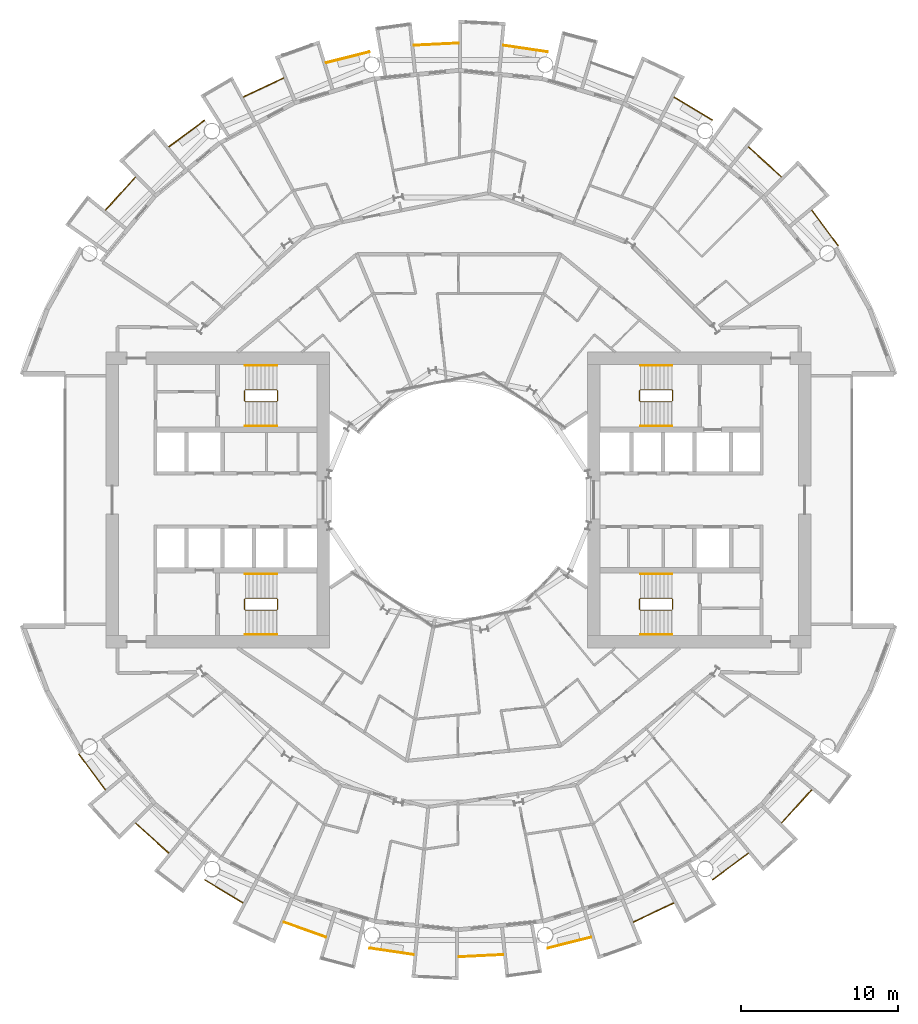
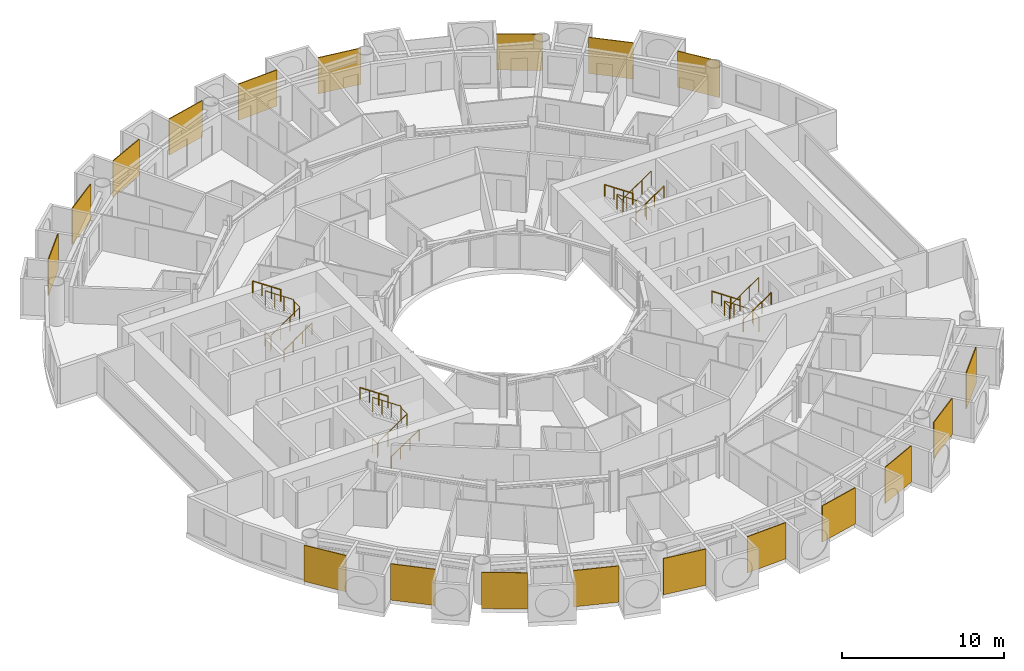
# One storey, part 25 of 26: 31 railings.
"""IFC4 building model written with IfcOpenShell, lengths in metres."""

from ifc_helpers import new_model, si_unit, direction, frame, origin, origin_2d, place, context, subcontext, project, spatial, polyline, circle, outline, extrude, material, layer, layer_set, type_object, element, save


model = new_model("IFC4")

# Units and contexts
model_context = context("Model", 3, precision=1e-05, world=origin(), true_north=direction((0.0, 1.0)))
body_context = subcontext(model_context, "Body", "Model", "MODEL_VIEW")
ifc_project = project(units=[si_unit("LENGTHUNIT", "METRE"), si_unit("AREAUNIT", "SQUARE_METRE"), si_unit("VOLUMEUNIT", "CUBIC_METRE"), si_unit("PLANEANGLEUNIT", "RADIAN"), si_unit("MASSUNIT", "GRAM", prefix="KILO")], contexts=[model_context])

# Site, building, storey
site_placement = place(None, origin())
site = spatial("IfcSite", under=ifc_project, at=site_placement, CompositionType="ELEMENT")
building_placement = place(site_placement, origin())
building = spatial("IfcBuilding", under=site, at=building_placement, Name="Maasbend Ring Residences", CompositionType="ELEMENT")
storey_placement = place(building_placement, frame((0.0, 0.0, 38.050048828125)))
storey = spatial("IfcBuildingStorey", under=building, at=storey_placement, Name="L10", CompositionType="ELEMENT", Elevation=38.050048828125)

# Railings
ifc_material_1 = material(Name="Pale anodised perforated aluminium", Category="aluminium")
ifc_layer = layer(ifc_material_1, 0.06005859375)
ifc_layer_set = layer_set([ifc_layer], Name="SCREEN-P")
railing_type_1 = type_object("IfcRailingType", Name="SCREEN-P", PredefinedType="GUARDRAIL", material=ifc_layer_set)
railing_1_placement = place(storey_placement, frame((0.0, 0.0, -0.030029296875)))
element("IfcRailing", 1, at=railing_1_placement, inside=storey, type_object=railing_type_1, Name="Perforated screen guard 1", PredefinedType="GUARDRAIL", context=body_context, shape_type="SweptSolid", body=[
    extrude(outline(polyline([(24.113037109375, 16.112060546875), (22.4169921875, 18.39697265625), (22.465087890625, 18.43310546875), (24.160888671875, 16.14697265625), (24.113037109375, 16.112060546875)])), origin(), (0.0, 0.0, 1.0), 2.72998046875),
])
railing_2_placement = place(storey_placement, frame((0.0, 0.0, -0.030029296875)))
element("IfcRailing", 2, at=railing_2_placement, inside=storey, type_object=railing_type_1, Name="Perforated screen guard 2", PredefinedType="GUARDRAIL", context=body_context, shape_type="SweptSolid", body=[
    extrude(outline(polyline([(20.506103515625, 20.506103515625), (18.39697265625, 22.4169921875), (18.43798828125, 22.4619140625), (20.5458984375, 20.551025390625), (20.506103515625, 20.506103515625)])), origin(), (0.0, 0.0, 1.0), 2.72998046875),
])
railing_3_placement = place(storey_placement, frame((0.0, 0.0, -0.030029296875)))
element("IfcRailing", 3, at=railing_3_placement, inside=storey, type_object=railing_type_1, Name="Perforated screen guard 3", PredefinedType="GUARDRAIL", context=body_context, shape_type="SweptSolid", body=[
    extrude(outline(polyline([(16.112060546875, 24.113037109375), (13.6708984375, 25.575927734375), (13.700927734375, 25.626953125), (16.14208984375, 24.1640625), (16.112060546875, 24.113037109375)])), origin(), (0.0, 0.0, 1.0), 2.72998046875),
])
railing_4_placement = place(storey_placement, frame((0.0, 0.0, -0.030029296875)))
element("IfcRailing", 4, at=railing_4_placement, inside=storey, type_object=railing_type_1, Name="Perforated screen guard 5", PredefinedType="GUARDRAIL", context=body_context, shape_type="SweptSolid", body=[
    extrude(outline(polyline([(5.657958984375, 28.443115234375), (2.842041015625, 28.860107421875), (2.85107421875, 28.919921875), (5.666015625, 28.501953125), (5.657958984375, 28.443115234375)])), origin(), (0.0, 0.0, 1.0), 2.72998046875),
])
railing_5_placement = place(storey_placement, frame((0.0, 0.0, -0.030029296875)))
element("IfcRailing", 5, at=railing_5_placement, inside=storey, type_object=railing_type_1, Name="Perforated screen guard 6", PredefinedType="GUARDRAIL", context=body_context, shape_type="SweptSolid", body=[
    extrude(outline(polyline([(0.0, 29.0), (-2.842041015625, 28.860107421875), (-2.844970703125, 28.919921875), (-0.0029296875, 29.06005859375), (0.0, 29.0)])), origin(), (0.0, 0.0, 1.0), 2.72998046875),
])
railing_6_placement = place(storey_placement, frame((0.0, 0.0, -0.030029296875)))
element("IfcRailing", 6, at=railing_6_placement, inside=storey, type_object=railing_type_1, Name="Perforated screen guard 7", PredefinedType="GUARDRAIL", context=body_context, shape_type="SweptSolid", body=[
    extrude(outline(polyline([(-5.657958984375, 28.443115234375), (-8.41796875, 27.7509765625), (-8.43310546875, 27.80908203125), (-5.672119140625, 28.5009765625), (-5.657958984375, 28.443115234375)])), origin(), (0.0, 0.0, 1.0), 2.72998046875),
])
railing_7_placement = place(storey_placement, frame((0.0, 0.0, -0.030029296875)))
element("IfcRailing", 7, at=railing_7_placement, inside=storey, type_object=railing_type_1, Name="Perforated screen guard 8", PredefinedType="GUARDRAIL", context=body_context, shape_type="SweptSolid", body=[
    extrude(outline(polyline([(-11.097900390625, 26.79296875), (-13.6708984375, 25.575927734375), (-13.696044921875, 25.6298828125), (-11.123046875, 26.846923828125), (-11.097900390625, 26.79296875)])), origin(), (0.0, 0.0, 1.0), 2.72998046875),
])
railing_8_placement = place(storey_placement, frame((0.0, 0.0, -0.030029296875)))
element("IfcRailing", 8, at=railing_8_placement, inside=storey, type_object=railing_type_1, Name="Perforated screen guard 9", PredefinedType="GUARDRAIL", context=body_context, shape_type="SweptSolid", body=[
    extrude(outline(polyline([(-16.112060546875, 24.113037109375), (-18.39697265625, 22.4169921875), (-18.43310546875, 22.465087890625), (-16.14697265625, 24.160888671875), (-16.112060546875, 24.113037109375)])), origin(), (0.0, 0.0, 1.0), 2.72998046875),
])
railing_9_placement = place(storey_placement, frame((0.0, 0.0, -0.030029296875)))
element("IfcRailing", 9, at=railing_9_placement, inside=storey, type_object=railing_type_1, Name="Perforated screen guard 10", PredefinedType="GUARDRAIL", context=body_context, shape_type="SweptSolid", body=[
    extrude(outline(polyline([(-20.506103515625, 20.506103515625), (-22.4169921875, 18.39697265625), (-22.4619140625, 18.43798828125), (-20.551025390625, 20.5458984375), (-20.506103515625, 20.506103515625)])), origin(), (0.0, 0.0, 1.0), 2.72998046875),
])
railing_10_placement = place(storey_placement, frame((0.0, 0.0, -0.030029296875)))
element("IfcRailing", 10, at=railing_10_placement, inside=storey, type_object=railing_type_1, Name="Perforated screen guard 1", PredefinedType="GUARDRAIL", context=body_context, shape_type="SweptSolid", body=[
    extrude(outline(polyline([(-24.113037109375, -16.112060546875), (-22.4169921875, -18.39697265625), (-22.465087890625, -18.43310546875), (-24.160888671875, -16.14697265625), (-24.113037109375, -16.112060546875)])), origin(), (0.0, 0.0, 1.0), 2.72998046875),
])
railing_11_placement = place(storey_placement, frame((0.0, 0.0, -0.030029296875)))
element("IfcRailing", 11, at=railing_11_placement, inside=storey, type_object=railing_type_1, Name="Perforated screen guard 2", PredefinedType="GUARDRAIL", context=body_context, shape_type="SweptSolid", body=[
    extrude(outline(polyline([(-20.506103515625, -20.506103515625), (-18.39697265625, -22.4169921875), (-18.43798828125, -22.4619140625), (-20.5458984375, -20.551025390625), (-20.506103515625, -20.506103515625)])), origin(), (0.0, 0.0, 1.0), 2.72998046875),
])
railing_12_placement = place(storey_placement, frame((0.0, 0.0, -0.030029296875)))
element("IfcRailing", 12, at=railing_12_placement, inside=storey, type_object=railing_type_1, Name="Perforated screen guard 3", PredefinedType="GUARDRAIL", context=body_context, shape_type="SweptSolid", body=[
    extrude(outline(polyline([(-16.112060546875, -24.113037109375), (-13.6708984375, -25.575927734375), (-13.700927734375, -25.626953125), (-16.14208984375, -24.1640625), (-16.112060546875, -24.113037109375)])), origin(), (0.0, 0.0, 1.0), 2.72998046875),
])
railing_13_placement = place(storey_placement, frame((0.0, 0.0, -0.030029296875)))
element("IfcRailing", 13, at=railing_13_placement, inside=storey, type_object=railing_type_1, Name="Perforated screen guard 4", PredefinedType="GUARDRAIL", context=body_context, shape_type="SweptSolid", body=[
    extrude(outline(polyline([(-11.097900390625, -26.79296875), (-8.41796875, -27.7509765625), (-8.43798828125, -27.80810546875), (-11.117919921875, -26.84912109375), (-11.097900390625, -26.79296875)])), origin(), (0.0, 0.0, 1.0), 2.72998046875),
])
railing_14_placement = place(storey_placement, frame((0.0, 0.0, -0.030029296875)))
element("IfcRailing", 14, at=railing_14_placement, inside=storey, type_object=railing_type_1, Name="Perforated screen guard 5", PredefinedType="GUARDRAIL", context=body_context, shape_type="SweptSolid", body=[
    extrude(outline(polyline([(-5.657958984375, -28.443115234375), (-2.842041015625, -28.860107421875), (-2.85107421875, -28.919921875), (-5.666015625, -28.501953125), (-5.657958984375, -28.443115234375)])), origin(), (0.0, 0.0, 1.0), 2.72998046875),
])
railing_15_placement = place(storey_placement, frame((0.0, 0.0, -0.030029296875)))
element("IfcRailing", 15, at=railing_15_placement, inside=storey, type_object=railing_type_1, Name="Perforated screen guard 6", PredefinedType="GUARDRAIL", context=body_context, shape_type="SweptSolid", body=[
    extrude(outline(polyline([(0.0, -29.0), (2.842041015625, -28.860107421875), (2.844970703125, -28.919921875), (0.0029296875, -29.06005859375), (0.0, -29.0)])), origin(), (0.0, 0.0, 1.0), 2.72998046875),
])
railing_16_placement = place(storey_placement, frame((0.0, 0.0, -0.030029296875)))
element("IfcRailing", 16, at=railing_16_placement, inside=storey, type_object=railing_type_1, Name="Perforated screen guard 7", PredefinedType="GUARDRAIL", context=body_context, shape_type="SweptSolid", body=[
    extrude(outline(polyline([(5.657958984375, -28.443115234375), (8.41796875, -27.7509765625), (8.43310546875, -27.80908203125), (5.672119140625, -28.5009765625), (5.657958984375, -28.443115234375)])), origin(), (0.0, 0.0, 1.0), 2.72998046875),
])
railing_17_placement = place(storey_placement, frame((0.0, 0.0, -0.030029296875)))
element("IfcRailing", 17, at=railing_17_placement, inside=storey, type_object=railing_type_1, Name="Perforated screen guard 8", PredefinedType="GUARDRAIL", context=body_context, shape_type="SweptSolid", body=[
    extrude(outline(polyline([(11.097900390625, -26.79296875), (13.6708984375, -25.575927734375), (13.696044921875, -25.6298828125), (11.123046875, -26.846923828125), (11.097900390625, -26.79296875)])), origin(), (0.0, 0.0, 1.0), 2.72998046875),
])
railing_18_placement = place(storey_placement, frame((0.0, 0.0, -0.030029296875)))
element("IfcRailing", 18, at=railing_18_placement, inside=storey, type_object=railing_type_1, Name="Perforated screen guard 9", PredefinedType="GUARDRAIL", context=body_context, shape_type="SweptSolid", body=[
    extrude(outline(polyline([(16.112060546875, -24.113037109375), (18.39697265625, -22.4169921875), (18.43310546875, -22.465087890625), (16.14697265625, -24.160888671875), (16.112060546875, -24.113037109375)])), origin(), (0.0, 0.0, 1.0), 2.72998046875),
])
railing_19_placement = place(storey_placement, frame((0.0, 0.0, -0.030029296875)))
element("IfcRailing", 19, at=railing_19_placement, inside=storey, type_object=railing_type_1, Name="Perforated screen guard 10", PredefinedType="GUARDRAIL", context=body_context, shape_type="SweptSolid", body=[
    extrude(outline(polyline([(20.506103515625, -20.506103515625), (22.4169921875, -18.39697265625), (22.4619140625, -18.43798828125), (20.551025390625, -20.5458984375), (20.506103515625, -20.506103515625)])), origin(), (0.0, 0.0, 1.0), 2.72998046875),
])
ifc_material_2 = material(Name="Stainless steel 316", Category="steel")
railing_type_2 = type_object("IfcRailingType", Name="STAIR GUARD 1100", PredefinedType="GUARDRAIL", material=ifc_material_2)
railing_20_placement = place(storey_placement, frame((13.60009765625, 6.300048828125, 0.0)))
element("IfcRailing", 20, at=railing_20_placement, inside=storey, type_object=railing_type_2, Name="L10 ST-E1 stair guard 1", PredefinedType="GUARDRAIL", context=body_context, shape_type="SweptSolid", body=[
    extrude(circle(Radius=0.02392578125, at=origin_2d()), frame((0.0, 0.0, 1.076171875), z_axis=(0.0, 1.0, 0.0), x_axis=(-1.0, 0.0, 0.0)), (0.0, 0.0, 1.0), 0.64990234375),
    extrude(circle(Radius=0.02392578125, at=origin_2d()), frame((0.0, 0.64990234375, 1.076171875), z_axis=(-0.272562526181, 0.272562526181, 0.92272386912), x_axis=(-0.707106781187, -0.707106781187, 0.0)), (0.0, 0.0, 1.0), 0.18359375),
    extrude(circle(Radius=0.02392578125, at=origin_2d()), frame((-0.050048828125, 0.699951171875, 1.24560546875), z_axis=(-0.827797584762, 0.0, 0.561026878735), x_axis=(0.0, -1.0, 0.0)), (0.0, 0.0, 1.0), 2.416015625),
    extrude(circle(Radius=0.02392578125, at=origin_2d()), frame((-2.050048828125, 0.699951171875, 2.60107421875), z_axis=(-0.707106781187, -0.707106781187, 0.0), x_axis=(0.707106781187, -0.707106781187, 0.0)), (0.0, 0.0, 1.0), 0.07080078125),
    extrude(circle(Radius=0.02392578125, at=origin_2d()), frame((-2.10009765625, 0.64990234375, 2.60107421875), z_axis=(0.0, -1.0, 0.0), x_axis=(1.0, 0.0, 0.0)), (0.0, 0.0, 1.0), 0.64990234375),
    extrude(circle(Radius=0.02392578125, at=origin_2d()), frame((-2.10009765625, 0.0, 2.60107421875), z_axis=(0.272562526181, -0.272562526181, 0.92272386912), x_axis=(0.707106781187, 0.707106781187, 0.0)), (0.0, 0.0, 1.0), 0.18359375),
    extrude(circle(Radius=0.02392578125, at=origin_2d()), frame((-2.050048828125, -0.050048828125, 2.7705078125), z_axis=(0.827750655447, 0.0, 0.561096116906), x_axis=(0.0, 1.0, 0.0)), (0.0, 0.0, 1.0), 2.416259765625),
    extrude(circle(Radius=0.02099609375, at=origin_2d()), origin(), (0.0, 0.0, 1.0), 1.052001953125),
    extrude(circle(Radius=0.02099609375, at=origin_2d()), frame((0.0, 0.64990234375, 0.0)), (0.0, 0.0, 1.0), 1.052001953125),
    extrude(circle(Radius=0.02099609375, at=origin_2d()), frame((-0.050048828125, 0.699951171875, 0.16943359375)), (0.0, 0.0, 1.0), 1.052001953125),
    extrude(circle(Radius=0.02099609375, at=origin_2d()), frame((-0.716796875, 0.699951171875, 0.621337890625)), (0.0, 0.0, 1.0), 1.052001953125),
    extrude(circle(Radius=0.02099609375, at=origin_2d()), frame((-1.38330078125, 0.699951171875, 1.072998046875)), (0.0, 0.0, 1.0), 1.052001953125),
    extrude(circle(Radius=0.02099609375, at=origin_2d()), frame((-2.050048828125, 0.699951171875, 1.52490234375)), (0.0, 0.0, 1.0), 1.052001953125),
    extrude(circle(Radius=0.02099609375, at=origin_2d()), frame((-2.10009765625, 0.64990234375, 1.52490234375)), (0.0, 0.0, 1.0), 1.052001953125),
    extrude(circle(Radius=0.02099609375, at=origin_2d()), frame((-2.10009765625, 0.0, 1.52490234375)), (0.0, 0.0, 1.0), 1.052001953125),
    extrude(circle(Radius=0.02099609375, at=origin_2d()), frame((-2.050048828125, -0.050048828125, 1.6943359375)), (0.0, 0.0, 1.0), 1.052001953125),
    extrude(circle(Radius=0.02099609375, at=origin_2d()), frame((-1.38330078125, -0.050048828125, 2.146240234375)), (0.0, 0.0, 1.0), 1.052001953125),
    extrude(circle(Radius=0.02099609375, at=origin_2d()), frame((-0.716796875, -0.050048828125, 2.59814453125)), (0.0, 0.0, 1.0), 1.052001953125),
    extrude(circle(Radius=0.02099609375, at=origin_2d()), frame((-0.050048828125, -0.050048828125, 3.050048828125)), (0.0, 0.0, 1.0), 1.052001953125),
])
railing_21_placement = place(storey_placement, frame((13.60009765625, -6.949951171875, 0.0)))
element("IfcRailing", 21, at=railing_21_placement, inside=storey, type_object=railing_type_2, Name="L10 ST-E2 stair guard 1", PredefinedType="GUARDRAIL", context=body_context, shape_type="SweptSolid", body=[
    extrude(circle(Radius=0.02392578125, at=origin_2d()), frame((0.0, 0.0, 1.076171875), z_axis=(0.0, 1.0, 0.0), x_axis=(-1.0, 0.0, 0.0)), (0.0, 0.0, 1.0), 0.64990234375),
    extrude(circle(Radius=0.02392578125, at=origin_2d()), frame((0.0, 0.64990234375, 1.076171875), z_axis=(-0.272562526181, 0.272562526181, 0.92272386912), x_axis=(-0.707106781187, -0.707106781187, 0.0)), (0.0, 0.0, 1.0), 0.18359375),
    extrude(circle(Radius=0.02392578125, at=origin_2d()), frame((-0.050048828125, 0.699951171875, 1.24560546875), z_axis=(-0.827797584762, 0.0, 0.561026878735), x_axis=(0.0, -1.0, 0.0)), (0.0, 0.0, 1.0), 2.416015625),
    extrude(circle(Radius=0.02392578125, at=origin_2d()), frame((-2.050048828125, 0.699951171875, 2.60107421875), z_axis=(-0.707106781187, -0.707106781187, 0.0), x_axis=(0.707106781187, -0.707106781187, 0.0)), (0.0, 0.0, 1.0), 0.07080078125),
    extrude(circle(Radius=0.02392578125, at=origin_2d()), frame((-2.10009765625, 0.64990234375, 2.60107421875), z_axis=(0.0, -1.0, 0.0), x_axis=(1.0, 0.0, 0.0)), (0.0, 0.0, 1.0), 0.64990234375),
    extrude(circle(Radius=0.02392578125, at=origin_2d()), frame((-2.10009765625, 0.0, 2.60107421875), z_axis=(0.272562526181, -0.272562526181, 0.92272386912), x_axis=(0.707106781187, 0.707106781187, 0.0)), (0.0, 0.0, 1.0), 0.18359375),
    extrude(circle(Radius=0.02392578125, at=origin_2d()), frame((-2.050048828125, -0.050048828125, 2.7705078125), z_axis=(0.827750655447, 0.0, 0.561096116906), x_axis=(0.0, 1.0, 0.0)), (0.0, 0.0, 1.0), 2.416259765625),
    extrude(circle(Radius=0.02099609375, at=origin_2d()), origin(), (0.0, 0.0, 1.0), 1.052001953125),
    extrude(circle(Radius=0.02099609375, at=origin_2d()), frame((0.0, 0.64990234375, 0.0)), (0.0, 0.0, 1.0), 1.052001953125),
    extrude(circle(Radius=0.02099609375, at=origin_2d()), frame((-0.050048828125, 0.699951171875, 0.16943359375)), (0.0, 0.0, 1.0), 1.052001953125),
    extrude(circle(Radius=0.02099609375, at=origin_2d()), frame((-0.716796875, 0.699951171875, 0.621337890625)), (0.0, 0.0, 1.0), 1.052001953125),
    extrude(circle(Radius=0.02099609375, at=origin_2d()), frame((-1.38330078125, 0.699951171875, 1.072998046875)), (0.0, 0.0, 1.0), 1.052001953125),
    extrude(circle(Radius=0.02099609375, at=origin_2d()), frame((-2.050048828125, 0.699951171875, 1.52490234375)), (0.0, 0.0, 1.0), 1.052001953125),
    extrude(circle(Radius=0.02099609375, at=origin_2d()), frame((-2.10009765625, 0.64990234375, 1.52490234375)), (0.0, 0.0, 1.0), 1.052001953125),
    extrude(circle(Radius=0.02099609375, at=origin_2d()), frame((-2.10009765625, 0.0, 1.52490234375)), (0.0, 0.0, 1.0), 1.052001953125),
    extrude(circle(Radius=0.02099609375, at=origin_2d()), frame((-2.050048828125, -0.050048828125, 1.6943359375)), (0.0, 0.0, 1.0), 1.052001953125),
    extrude(circle(Radius=0.02099609375, at=origin_2d()), frame((-1.38330078125, -0.050048828125, 2.146240234375)), (0.0, 0.0, 1.0), 1.052001953125),
    extrude(circle(Radius=0.02099609375, at=origin_2d()), frame((-0.716796875, -0.050048828125, 2.59814453125)), (0.0, 0.0, 1.0), 1.052001953125),
    extrude(circle(Radius=0.02099609375, at=origin_2d()), frame((-0.050048828125, -0.050048828125, 3.050048828125)), (0.0, 0.0, 1.0), 1.052001953125),
])
railing_22_placement = place(storey_placement, frame((-13.60009765625, -6.300048828125, 0.0)))
element("IfcRailing", 22, at=railing_22_placement, inside=storey, type_object=railing_type_2, Name="L10 ST-W1 stair guard 1", PredefinedType="GUARDRAIL", context=body_context, shape_type="SweptSolid", body=[
    extrude(circle(Radius=0.02392578125, at=origin_2d()), frame((0.0, 0.0, 1.076171875), z_axis=(0.0, -1.0, 0.0), x_axis=(1.0, 0.0, 0.0)), (0.0, 0.0, 1.0), 0.64990234375),
    extrude(circle(Radius=0.02392578125, at=origin_2d()), frame((0.0, -0.64990234375, 1.076171875), z_axis=(0.272562526181, -0.272562526181, 0.92272386912), x_axis=(0.707106781187, 0.707106781187, 0.0)), (0.0, 0.0, 1.0), 0.18359375),
    extrude(circle(Radius=0.02392578125, at=origin_2d()), frame((0.050048828125, -0.699951171875, 1.24560546875), z_axis=(0.827797584762, 0.0, 0.561026878735), x_axis=(0.0, 1.0, 0.0)), (0.0, 0.0, 1.0), 2.416015625),
    extrude(circle(Radius=0.02392578125, at=origin_2d()), frame((2.050048828125, -0.699951171875, 2.60107421875), z_axis=(0.707106781187, 0.707106781187, 0.0), x_axis=(-0.707106781187, 0.707106781187, 0.0)), (0.0, 0.0, 1.0), 0.07080078125),
    extrude(circle(Radius=0.02392578125, at=origin_2d()), frame((2.10009765625, -0.64990234375, 2.60107421875), z_axis=(0.0, 1.0, 0.0), x_axis=(-1.0, 0.0, 0.0)), (0.0, 0.0, 1.0), 0.64990234375),
    extrude(circle(Radius=0.02392578125, at=origin_2d()), frame((2.10009765625, 0.0, 2.60107421875), z_axis=(-0.272562526181, 0.272562526181, 0.92272386912), x_axis=(-0.707106781187, -0.707106781187, 0.0)), (0.0, 0.0, 1.0), 0.18359375),
    extrude(circle(Radius=0.02392578125, at=origin_2d()), frame((2.050048828125, 0.050048828125, 2.7705078125), z_axis=(-0.827750655447, 0.0, 0.561096116906), x_axis=(0.0, -1.0, 0.0)), (0.0, 0.0, 1.0), 2.416259765625),
    extrude(circle(Radius=0.02099609375, at=origin_2d()), origin(), (0.0, 0.0, 1.0), 1.052001953125),
    extrude(circle(Radius=0.02099609375, at=origin_2d()), frame((0.0, -0.64990234375, 0.0)), (0.0, 0.0, 1.0), 1.052001953125),
    extrude(circle(Radius=0.02099609375, at=origin_2d()), frame((0.050048828125, -0.699951171875, 0.16943359375)), (0.0, 0.0, 1.0), 1.052001953125),
    extrude(circle(Radius=0.02099609375, at=origin_2d()), frame((0.716796875, -0.699951171875, 0.621337890625)), (0.0, 0.0, 1.0), 1.052001953125),
    extrude(circle(Radius=0.02099609375, at=origin_2d()), frame((1.38330078125, -0.699951171875, 1.072998046875)), (0.0, 0.0, 1.0), 1.052001953125),
    extrude(circle(Radius=0.02099609375, at=origin_2d()), frame((2.050048828125, -0.699951171875, 1.52490234375)), (0.0, 0.0, 1.0), 1.052001953125),
    extrude(circle(Radius=0.02099609375, at=origin_2d()), frame((2.10009765625, -0.64990234375, 1.52490234375)), (0.0, 0.0, 1.0), 1.052001953125),
    extrude(circle(Radius=0.02099609375, at=origin_2d()), frame((2.10009765625, 0.0, 1.52490234375)), (0.0, 0.0, 1.0), 1.052001953125),
    extrude(circle(Radius=0.02099609375, at=origin_2d()), frame((2.050048828125, 0.050048828125, 1.6943359375)), (0.0, 0.0, 1.0), 1.052001953125),
    extrude(circle(Radius=0.02099609375, at=origin_2d()), frame((1.38330078125, 0.050048828125, 2.146240234375)), (0.0, 0.0, 1.0), 1.052001953125),
    extrude(circle(Radius=0.02099609375, at=origin_2d()), frame((0.716796875, 0.050048828125, 2.59814453125)), (0.0, 0.0, 1.0), 1.052001953125),
    extrude(circle(Radius=0.02099609375, at=origin_2d()), frame((0.050048828125, 0.050048828125, 3.050048828125)), (0.0, 0.0, 1.0), 1.052001953125),
])
railing_23_placement = place(storey_placement, frame((-13.60009765625, 6.949951171875, 0.0)))
element("IfcRailing", 23, at=railing_23_placement, inside=storey, type_object=railing_type_2, Name="L10 ST-W2 stair guard 1", PredefinedType="GUARDRAIL", context=body_context, shape_type="SweptSolid", body=[
    extrude(circle(Radius=0.02392578125, at=origin_2d()), frame((0.0, 0.0, 1.076171875), z_axis=(0.0, -1.0, 0.0), x_axis=(1.0, 0.0, 0.0)), (0.0, 0.0, 1.0), 0.64990234375),
    extrude(circle(Radius=0.02392578125, at=origin_2d()), frame((0.0, -0.64990234375, 1.076171875), z_axis=(0.272562526181, -0.272562526181, 0.92272386912), x_axis=(0.707106781187, 0.707106781187, 0.0)), (0.0, 0.0, 1.0), 0.18359375),
    extrude(circle(Radius=0.02392578125, at=origin_2d()), frame((0.050048828125, -0.699951171875, 1.24560546875), z_axis=(0.827797584762, 0.0, 0.561026878735), x_axis=(0.0, 1.0, 0.0)), (0.0, 0.0, 1.0), 2.416015625),
    extrude(circle(Radius=0.02392578125, at=origin_2d()), frame((2.050048828125, -0.699951171875, 2.60107421875), z_axis=(0.707106781187, 0.707106781187, 0.0), x_axis=(-0.707106781187, 0.707106781187, 0.0)), (0.0, 0.0, 1.0), 0.07080078125),
    extrude(circle(Radius=0.02392578125, at=origin_2d()), frame((2.10009765625, -0.64990234375, 2.60107421875), z_axis=(0.0, 1.0, 0.0), x_axis=(-1.0, 0.0, 0.0)), (0.0, 0.0, 1.0), 0.64990234375),
    extrude(circle(Radius=0.02392578125, at=origin_2d()), frame((2.10009765625, 0.0, 2.60107421875), z_axis=(-0.272562526181, 0.272562526181, 0.92272386912), x_axis=(-0.707106781187, -0.707106781187, 0.0)), (0.0, 0.0, 1.0), 0.18359375),
    extrude(circle(Radius=0.02392578125, at=origin_2d()), frame((2.050048828125, 0.050048828125, 2.7705078125), z_axis=(-0.827750655447, 0.0, 0.561096116906), x_axis=(0.0, -1.0, 0.0)), (0.0, 0.0, 1.0), 2.416259765625),
    extrude(circle(Radius=0.02099609375, at=origin_2d()), origin(), (0.0, 0.0, 1.0), 1.052001953125),
    extrude(circle(Radius=0.02099609375, at=origin_2d()), frame((0.0, -0.64990234375, 0.0)), (0.0, 0.0, 1.0), 1.052001953125),
    extrude(circle(Radius=0.02099609375, at=origin_2d()), frame((0.050048828125, -0.699951171875, 0.16943359375)), (0.0, 0.0, 1.0), 1.052001953125),
    extrude(circle(Radius=0.02099609375, at=origin_2d()), frame((0.716796875, -0.699951171875, 0.621337890625)), (0.0, 0.0, 1.0), 1.052001953125),
    extrude(circle(Radius=0.02099609375, at=origin_2d()), frame((1.38330078125, -0.699951171875, 1.072998046875)), (0.0, 0.0, 1.0), 1.052001953125),
    extrude(circle(Radius=0.02099609375, at=origin_2d()), frame((2.050048828125, -0.699951171875, 1.52490234375)), (0.0, 0.0, 1.0), 1.052001953125),
    extrude(circle(Radius=0.02099609375, at=origin_2d()), frame((2.10009765625, -0.64990234375, 1.52490234375)), (0.0, 0.0, 1.0), 1.052001953125),
    extrude(circle(Radius=0.02099609375, at=origin_2d()), frame((2.10009765625, 0.0, 1.52490234375)), (0.0, 0.0, 1.0), 1.052001953125),
    extrude(circle(Radius=0.02099609375, at=origin_2d()), frame((2.050048828125, 0.050048828125, 1.6943359375)), (0.0, 0.0, 1.0), 1.052001953125),
    extrude(circle(Radius=0.02099609375, at=origin_2d()), frame((1.38330078125, 0.050048828125, 2.146240234375)), (0.0, 0.0, 1.0), 1.052001953125),
    extrude(circle(Radius=0.02099609375, at=origin_2d()), frame((0.716796875, 0.050048828125, 2.59814453125)), (0.0, 0.0, 1.0), 1.052001953125),
    extrude(circle(Radius=0.02099609375, at=origin_2d()), frame((0.050048828125, 0.050048828125, 3.050048828125)), (0.0, 0.0, 1.0), 1.052001953125),
])
ifc_material_3 = material(Name="Stainless steel 316", Category="steel")
railing_type_3 = type_object("IfcRailingType", Name="STAIR HANDRAIL 900", PredefinedType="HANDRAIL", material=ifc_material_3)
railing_24_placement = place(storey_placement, frame((13.550048828125, 8.550048828125, 0.16943359375)))
element("IfcRailing", 24, at=railing_24_placement, inside=storey, type_object=railing_type_3, Name="L10 ST-E1 stair handrail 1", PredefinedType="HANDRAIL", context=body_context, shape_type="SweptSolid", body=[
    extrude(circle(Radius=0.02392578125, at=origin_2d()), frame((0.0, 0.0, 0.8759765625), z_axis=(-0.827797584762, 0.0, 0.561026878735), x_axis=(0.0, -1.0, 0.0)), (0.0, 0.0, 1.0), 2.416015625),
    extrude(circle(Radius=0.02099609375, at=origin_2d()), origin(), (0.0, 0.0, 1.0), 0.851806640625),
    extrude(circle(Radius=0.02099609375, at=origin_2d()), frame((-0.666748046875, 0.0, 0.451904296875)), (0.0, 0.0, 1.0), 0.851806640625),
    extrude(circle(Radius=0.02099609375, at=origin_2d()), frame((-1.333251953125, 0.0, 0.903564453125)), (0.0, 0.0, 1.0), 0.851806640625),
    extrude(circle(Radius=0.02099609375, at=origin_2d()), frame((-2.0, 0.0, 1.35546875)), (0.0, 0.0, 1.0), 0.851806640625),
])
railing_25_placement = place(storey_placement, frame((11.550048828125, 4.699951171875, 1.6943359375)))
element("IfcRailing", 25, at=railing_25_placement, inside=storey, type_object=railing_type_3, Name="L10 ST-E1 stair handrail 2", PredefinedType="HANDRAIL", context=body_context, shape_type="SweptSolid", body=[
    extrude(circle(Radius=0.02392578125, at=origin_2d()), frame((0.0, 0.0, 0.8759765625), z_axis=(0.827750655447, 0.0, 0.561096116906), x_axis=(0.0, 1.0, 0.0)), (0.0, 0.0, 1.0), 2.416259765625),
    extrude(circle(Radius=0.02099609375, at=origin_2d()), origin(), (0.0, 0.0, 1.0), 0.851806640625),
    extrude(circle(Radius=0.02099609375, at=origin_2d()), frame((0.666748046875, 0.0, 0.451904296875)), (0.0, 0.0, 1.0), 0.851806640625),
    extrude(circle(Radius=0.02099609375, at=origin_2d()), frame((1.333251953125, 0.0, 0.90380859375)), (0.0, 0.0, 1.0), 0.851806640625),
    extrude(circle(Radius=0.02099609375, at=origin_2d()), frame((2.0, 0.0, 1.355712890625)), (0.0, 0.0, 1.0), 0.851806640625),
])
railing_26_placement = place(storey_placement, frame((13.550048828125, -4.699951171875, 0.16943359375)))
element("IfcRailing", 26, at=railing_26_placement, inside=storey, type_object=railing_type_3, Name="L10 ST-E2 stair handrail 1", PredefinedType="HANDRAIL", context=body_context, shape_type="SweptSolid", body=[
    extrude(circle(Radius=0.02392578125, at=origin_2d()), frame((0.0, 0.0, 0.8759765625), z_axis=(-0.827797584762, 0.0, 0.561026878735), x_axis=(0.0, -1.0, 0.0)), (0.0, 0.0, 1.0), 2.416015625),
    extrude(circle(Radius=0.02099609375, at=origin_2d()), origin(), (0.0, 0.0, 1.0), 0.851806640625),
    extrude(circle(Radius=0.02099609375, at=origin_2d()), frame((-0.666748046875, 0.0, 0.451904296875)), (0.0, 0.0, 1.0), 0.851806640625),
    extrude(circle(Radius=0.02099609375, at=origin_2d()), frame((-1.333251953125, 0.0, 0.903564453125)), (0.0, 0.0, 1.0), 0.851806640625),
    extrude(circle(Radius=0.02099609375, at=origin_2d()), frame((-2.0, 0.0, 1.35546875)), (0.0, 0.0, 1.0), 0.851806640625),
])
railing_27_placement = place(storey_placement, frame((11.550048828125, -8.550048828125, 1.6943359375)))
element("IfcRailing", 27, at=railing_27_placement, inside=storey, type_object=railing_type_3, Name="L10 ST-E2 stair handrail 2", PredefinedType="HANDRAIL", context=body_context, shape_type="SweptSolid", body=[
    extrude(circle(Radius=0.02392578125, at=origin_2d()), frame((0.0, 0.0, 0.8759765625), z_axis=(0.827750655447, 0.0, 0.561096116906), x_axis=(0.0, 1.0, 0.0)), (0.0, 0.0, 1.0), 2.416259765625),
    extrude(circle(Radius=0.02099609375, at=origin_2d()), origin(), (0.0, 0.0, 1.0), 0.851806640625),
    extrude(circle(Radius=0.02099609375, at=origin_2d()), frame((0.666748046875, 0.0, 0.451904296875)), (0.0, 0.0, 1.0), 0.851806640625),
    extrude(circle(Radius=0.02099609375, at=origin_2d()), frame((1.333251953125, 0.0, 0.90380859375)), (0.0, 0.0, 1.0), 0.851806640625),
    extrude(circle(Radius=0.02099609375, at=origin_2d()), frame((2.0, 0.0, 1.355712890625)), (0.0, 0.0, 1.0), 0.851806640625),
])
railing_28_placement = place(storey_placement, frame((-13.550048828125, -8.550048828125, 0.16943359375)))
element("IfcRailing", 28, at=railing_28_placement, inside=storey, type_object=railing_type_3, Name="L10 ST-W1 stair handrail 1", PredefinedType="HANDRAIL", context=body_context, shape_type="SweptSolid", body=[
    extrude(circle(Radius=0.02392578125, at=origin_2d()), frame((0.0, 0.0, 0.8759765625), z_axis=(0.827797584762, 0.0, 0.561026878735), x_axis=(0.0, 1.0, 0.0)), (0.0, 0.0, 1.0), 2.416015625),
    extrude(circle(Radius=0.02099609375, at=origin_2d()), origin(), (0.0, 0.0, 1.0), 0.851806640625),
    extrude(circle(Radius=0.02099609375, at=origin_2d()), frame((0.666748046875, 0.0, 0.451904296875)), (0.0, 0.0, 1.0), 0.851806640625),
    extrude(circle(Radius=0.02099609375, at=origin_2d()), frame((1.333251953125, 0.0, 0.903564453125)), (0.0, 0.0, 1.0), 0.851806640625),
    extrude(circle(Radius=0.02099609375, at=origin_2d()), frame((2.0, 0.0, 1.35546875)), (0.0, 0.0, 1.0), 0.851806640625),
])
railing_29_placement = place(storey_placement, frame((-11.550048828125, -4.699951171875, 1.6943359375)))
element("IfcRailing", 29, at=railing_29_placement, inside=storey, type_object=railing_type_3, Name="L10 ST-W1 stair handrail 2", PredefinedType="HANDRAIL", context=body_context, shape_type="SweptSolid", body=[
    extrude(circle(Radius=0.02392578125, at=origin_2d()), frame((0.0, 0.0, 0.8759765625), z_axis=(-0.827750655447, 0.0, 0.561096116906), x_axis=(0.0, -1.0, 0.0)), (0.0, 0.0, 1.0), 2.416259765625),
    extrude(circle(Radius=0.02099609375, at=origin_2d()), origin(), (0.0, 0.0, 1.0), 0.851806640625),
    extrude(circle(Radius=0.02099609375, at=origin_2d()), frame((-0.666748046875, 0.0, 0.451904296875)), (0.0, 0.0, 1.0), 0.851806640625),
    extrude(circle(Radius=0.02099609375, at=origin_2d()), frame((-1.333251953125, 0.0, 0.90380859375)), (0.0, 0.0, 1.0), 0.851806640625),
    extrude(circle(Radius=0.02099609375, at=origin_2d()), frame((-2.0, 0.0, 1.355712890625)), (0.0, 0.0, 1.0), 0.851806640625),
])
railing_30_placement = place(storey_placement, frame((-13.550048828125, 4.699951171875, 0.16943359375)))
element("IfcRailing", 30, at=railing_30_placement, inside=storey, type_object=railing_type_3, Name="L10 ST-W2 stair handrail 1", PredefinedType="HANDRAIL", context=body_context, shape_type="SweptSolid", body=[
    extrude(circle(Radius=0.02392578125, at=origin_2d()), frame((0.0, 0.0, 0.8759765625), z_axis=(0.827797584762, 0.0, 0.561026878735), x_axis=(0.0, 1.0, 0.0)), (0.0, 0.0, 1.0), 2.416015625),
    extrude(circle(Radius=0.02099609375, at=origin_2d()), origin(), (0.0, 0.0, 1.0), 0.851806640625),
    extrude(circle(Radius=0.02099609375, at=origin_2d()), frame((0.666748046875, 0.0, 0.451904296875)), (0.0, 0.0, 1.0), 0.851806640625),
    extrude(circle(Radius=0.02099609375, at=origin_2d()), frame((1.333251953125, 0.0, 0.903564453125)), (0.0, 0.0, 1.0), 0.851806640625),
    extrude(circle(Radius=0.02099609375, at=origin_2d()), frame((2.0, 0.0, 1.35546875)), (0.0, 0.0, 1.0), 0.851806640625),
])
railing_31_placement = place(storey_placement, frame((-11.550048828125, 8.550048828125, 1.6943359375)))
element("IfcRailing", 31, at=railing_31_placement, inside=storey, type_object=railing_type_3, Name="L10 ST-W2 stair handrail 2", PredefinedType="HANDRAIL", context=body_context, shape_type="SweptSolid", body=[
    extrude(circle(Radius=0.02392578125, at=origin_2d()), frame((0.0, 0.0, 0.8759765625), z_axis=(-0.827750655447, 0.0, 0.561096116906), x_axis=(0.0, -1.0, 0.0)), (0.0, 0.0, 1.0), 2.416259765625),
    extrude(circle(Radius=0.02099609375, at=origin_2d()), origin(), (0.0, 0.0, 1.0), 0.851806640625),
    extrude(circle(Radius=0.02099609375, at=origin_2d()), frame((-0.666748046875, 0.0, 0.451904296875)), (0.0, 0.0, 1.0), 0.851806640625),
    extrude(circle(Radius=0.02099609375, at=origin_2d()), frame((-1.333251953125, 0.0, 0.90380859375)), (0.0, 0.0, 1.0), 0.851806640625),
    extrude(circle(Radius=0.02099609375, at=origin_2d()), frame((-2.0, 0.0, 1.355712890625)), (0.0, 0.0, 1.0), 0.851806640625),
])

save(model, "model.ifc")
